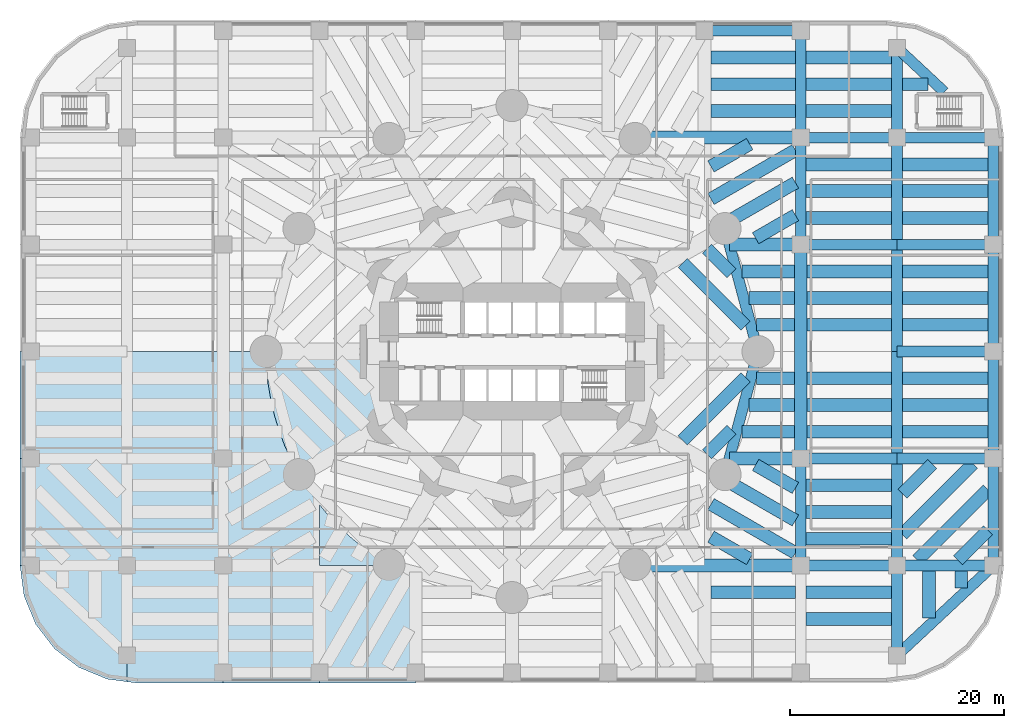
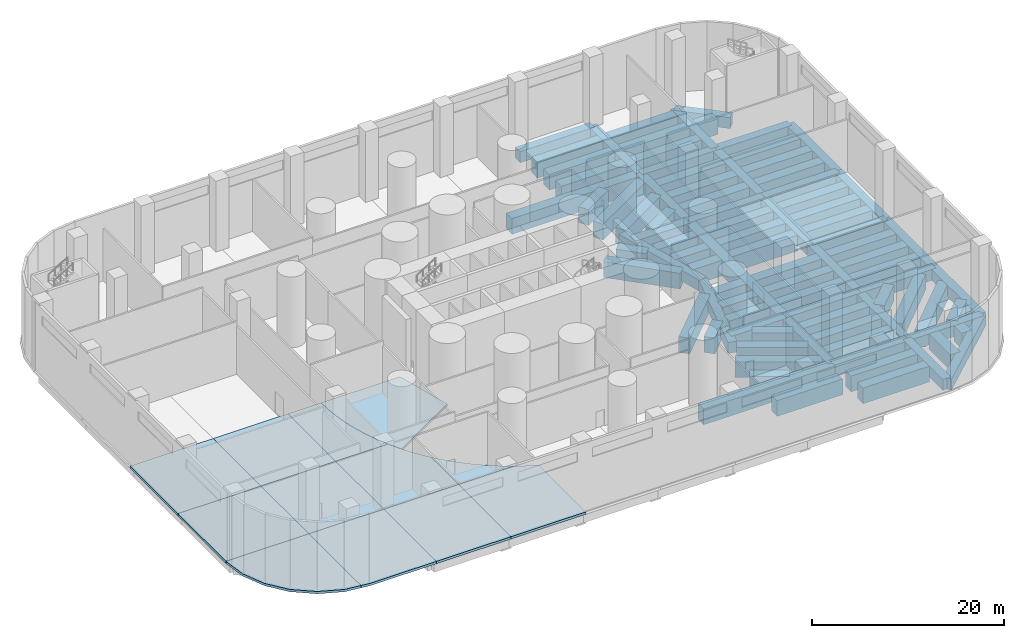
# One storey, part 4 of 13: 87 beams, 12 slabs.
"""IFC4 building model written with IfcOpenShell, lengths in metres."""

from ifc_helpers import new_model, si_unit, direction, frame, origin, origin_2d, place, context, subcontext, project, spatial, polyline, rectangle, outline, extrude, material, layer, layer_set, material_profile, profile_set, type_object, element, save


model = new_model("IFC4")

# Units and contexts
model_context = context("Model", 3, precision=1e-05, world=origin(), true_north=direction((0.0, 1.0)))
body_context = subcontext(model_context, "Body", "Model", "MODEL_VIEW")
ifc_project = project(units=[si_unit("LENGTHUNIT", "METRE"), si_unit("AREAUNIT", "SQUARE_METRE"), si_unit("VOLUMEUNIT", "CUBIC_METRE"), si_unit("PLANEANGLEUNIT", "RADIAN"), si_unit("MASSUNIT", "GRAM", prefix="KILO")], contexts=[model_context])

# Site, building, storey
site_placement = place(None, origin())
site = spatial("IfcSite", under=ifc_project, at=site_placement, CompositionType="ELEMENT")
building_placement = place(site_placement, origin())
building = spatial("IfcBuilding", under=site, at=building_placement, Name="Qaws Media Tower", CompositionType="ELEMENT")
storey_placement = place(building_placement, frame((0.0, 0.0, 6.0)))
storey = spatial("IfcBuildingStorey", under=building, at=storey_placement, Name="L01", CompositionType="ELEMENT", Elevation=6.0)

# Beams
ifc_material_1 = material(Name="Concrete C60/75", Category="concrete")
ifc_material_profile_1 = material_profile(ifc_material_1, rectangle(XDim=1.0, YDim=1.39990234375, at=origin_2d()), Name="RC 1000x1400")
ifc_profile_set_1 = profile_set([ifc_material_profile_1], Name="Concrete C60/75")
beam_type_1 = type_object("IfcBeamType", Name="Podium edge beam RC 1000x1400", PredefinedType="BEAM", material=ifc_profile_set_1)
for number, where, z_axis, x_axis, name in (
    (1, (83.0, 50.0, -1.0), (-0.258809885148, 0.965928280645, 0.0), (-0.965928280645, -0.258809885148, 0.0), "PB3 beam M01-M02"),
    (2, (79.918701171875, 38.5, -1.0), (0.258809885148, 0.965928280645, 0.0), (-0.965928280645, 0.258809885148, 0.0), "PB3 beam M12-M01"),
):
    element("IfcBeam", number, at=place(storey_placement, frame(where, z_axis=z_axis, x_axis=x_axis)), inside=storey, type_object=beam_type_1, Name=name, PredefinedType="BEAM", context=body_context, shape_type="SweptSolid", body=[
        extrude(rectangle(XDim=1.0, YDim=1.39990234375, at=origin_2d()), origin(), (0.0, 0.0, 1.0), 11.90576171875),
    ])
ifc_material_2 = material(Name="Concrete C60/75", Category="concrete")
ifc_material_profile_2 = material_profile(ifc_material_2, rectangle(XDim=1.0, YDim=1.39990234375, at=origin_2d()), Name="RC 1000x1400")
ifc_profile_set_2 = profile_set([ifc_material_profile_2], Name="Concrete C60/75")
beam_type_2 = type_object("IfcBeamType", Name="Podium girder RC 1000x1400", PredefinedType="BEAM", material=ifc_profile_set_2)
for number, where, z_axis, x_axis, name in (
    (3, (87.0, 30.0, -1.0), (1.0, 0.0, 0.0), (0.0, 1.0, 0.0), "PB5 beam 9-10/B"),
    (4, (96.0, 30.0, -1.0), (1.0, 0.0, 0.0), (0.0, 1.0, 0.0), "PB5 beam 10-11/B"),
    (5, (87.0, 40.0, -1.0), (1.0, 0.0, 0.0), (0.0, 1.0, 0.0), "PB5 beam 9-10/C"),
    (6, (96.0, 40.0, -1.0), (1.0, 0.0, 0.0), (0.0, 1.0, 0.0), "PB5 beam 10-11/C"),
    (7, (96.0, 50.0, -1.0), (1.0, 0.0, 0.0), (0.0, 1.0, 0.0), "PB5 beam 10-11/D"),
    (8, (87.0, 60.0, -1.0), (1.0, 0.0, 0.0), (0.0, 1.0, 0.0), "PB5 beam 9-10/E"),
    (9, (96.0, 60.0, -1.0), (1.0, 0.0, 0.0), (0.0, 1.0, 0.0), "PB5 beam 10-11/E"),
    (10, (87.0, 70.0, -1.0), (1.0, 0.0, 0.0), (0.0, 1.0, 0.0), "PB5 beam 9-10/F"),
    (11, (96.0, 70.0, -1.0), (1.0, 0.0, 0.0), (0.0, 1.0, 0.0), "PB5 beam 10-11/F"),
    (12, (78.0, 80.0, -1.0), (1.0, 0.0, 0.0), (0.0, 1.0, 0.0), "PB5 beam 8-9/G"),
):
    element("IfcBeam", number, at=place(storey_placement, frame(where, z_axis=z_axis, x_axis=x_axis)), inside=storey, type_object=beam_type_2, Name=name, PredefinedType="BEAM", context=body_context, shape_type="SweptSolid", body=[
        extrude(rectangle(XDim=1.0, YDim=1.39990234375, at=origin_2d()), origin(), (0.0, 0.0, 1.0), 9.0),
    ])
for number, where, z_axis, x_axis, name in (
    (13, (87.0, 30.0, -1.0), (0.0, 1.0, 0.0), (-1.0, 0.0, 0.0), "PB5 beam 9/B-C"),
    (14, (87.0, 60.0, -1.0), (0.0, 1.0, 0.0), (-1.0, 0.0, 0.0), "PB5 beam 9/E-F"),
    (15, (87.0, 70.0, -1.0), (0.0, 1.0, 0.0), (-1.0, 0.0, 0.0), "PB5 beam 9/F-G"),
):
    element("IfcBeam", number, at=place(storey_placement, frame(where, z_axis=z_axis, x_axis=x_axis)), inside=storey, type_object=beam_type_2, Name=name, PredefinedType="BEAM", context=body_context, shape_type="SweptSolid", body=[
        extrude(rectangle(XDim=1.0, YDim=1.39990234375, at=origin_2d()), origin(), (0.0, 0.0, 1.0), 10.0),
    ])
beam_1_placement = place(storey_placement, frame((96.0, 21.60009765625, -1.0), z_axis=(0.0, 1.0, 0.0), x_axis=(-1.0, 0.0, 0.0)))
element("IfcBeam", 16, at=beam_1_placement, inside=storey, type_object=beam_type_2, Name="PB5 beam 10/A-B", PredefinedType="BEAM", context=body_context, shape_type="SweptSolid", body=[
    extrude(rectangle(XDim=1.0, YDim=1.39990234375, at=origin_2d()), origin(), (0.0, 0.0, 1.0), 8.39990234375),
])
for number, where, z_axis, x_axis, name in (
    (17, (96.0, 30.0, -1.0), (0.0, 1.0, 0.0), (-1.0, 0.0, 0.0), "PB5 beam 10/B-C"),
    (18, (96.0, 40.0, -1.0), (0.0, 1.0, 0.0), (-1.0, 0.0, 0.0), "PB5 beam 10/C-D"),
    (19, (96.0, 50.0, -1.0), (0.0, 1.0, 0.0), (-1.0, 0.0, 0.0), "PB5 beam 10/D-E"),
    (20, (96.0, 60.0, -1.0), (0.0, 1.0, 0.0), (-1.0, 0.0, 0.0), "PB5 beam 10/E-F"),
):
    element("IfcBeam", number, at=place(storey_placement, frame(where, z_axis=z_axis, x_axis=x_axis)), inside=storey, type_object=beam_type_2, Name=name, PredefinedType="BEAM", context=body_context, shape_type="SweptSolid", body=[
        extrude(rectangle(XDim=1.0, YDim=1.39990234375, at=origin_2d()), origin(), (0.0, 0.0, 1.0), 10.0),
    ])
beam_2_placement = place(storey_placement, frame((96.0, 70.0, -1.0), z_axis=(0.0, 1.0, 0.0), x_axis=(-1.0, 0.0, 0.0)))
element("IfcBeam", 21, at=beam_2_placement, inside=storey, type_object=beam_type_2, Name="PB5 beam 10/F-G", PredefinedType="BEAM", context=body_context, shape_type="SweptSolid", body=[
    extrude(rectangle(XDim=1.0, YDim=1.39990234375, at=origin_2d()), origin(), (0.0, 0.0, 1.0), 8.39990234375),
])
for number, where, z_axis, x_axis, name in (
    (22, (105.0, 30.0, -1.0), (0.0, 1.0, 0.0), (-1.0, 0.0, 0.0), "PB5 beam 11/B-C"),
    (23, (105.0, 40.0, -1.0), (0.0, 1.0, 0.0), (-1.0, 0.0, 0.0), "PB5 beam 11/C-D"),
    (24, (105.0, 50.0, -1.0), (0.0, 1.0, 0.0), (-1.0, 0.0, 0.0), "PB5 beam 11/D-E"),
    (25, (105.0, 60.0, -1.0), (0.0, 1.0, 0.0), (-1.0, 0.0, 0.0), "PB5 beam 11/E-F"),
):
    element("IfcBeam", number, at=place(storey_placement, frame(where, z_axis=z_axis, x_axis=x_axis)), inside=storey, type_object=beam_type_2, Name=name, PredefinedType="BEAM", context=body_context, shape_type="SweptSolid", body=[
        extrude(rectangle(XDim=1.0, YDim=1.39990234375, at=origin_2d()), origin(), (0.0, 0.0, 1.0), 10.0),
    ])
beam_3_placement = place(storey_placement, frame((105.0, 30.0, -1.0), z_axis=(-0.73105922506, -0.682314010889, 0.0), x_axis=(0.682314010889, -0.73105922506, 0.0)))
element("IfcBeam", 26, at=beam_3_placement, inside=storey, type_object=beam_type_2, Name="PB5 beam 11/B-10/A", PredefinedType="BEAM", context=body_context, shape_type="SweptSolid", body=[
    extrude(rectangle(XDim=1.0, YDim=1.39990234375, at=origin_2d()), origin(), (0.0, 0.0, 1.0), 12.310791015625),
])
beam_4_placement = place(storey_placement, frame((100.4267578125, 74.268310546875, -1.0), z_axis=(-0.731059290527, 0.682313940745, 0.0), x_axis=(-0.682313940745, -0.731059290527, 0.0)))
element("IfcBeam", 27, at=beam_4_placement, inside=storey, type_object=beam_type_2, Name="PB5 beam S4-10/G", PredefinedType="BEAM", context=body_context, shape_type="SweptSolid", body=[
    extrude(rectangle(XDim=1.0, YDim=1.39990234375, at=origin_2d()), origin(), (0.0, 0.0, 1.0), 6.05517578125),
])
ifc_material_3 = material(Name="Concrete C60/75", Category="concrete")
ifc_material_profile_3 = material_profile(ifc_material_3, rectangle(XDim=1.199951171875, YDim=2.0, at=origin_2d()), Name="RC 1200x2000")
ifc_profile_set_3 = profile_set([ifc_material_profile_3], Name="Concrete C60/75")
beam_type_3 = type_object("IfcBeamType", Name="Podium long trimmer beam RC 1200x2000", PredefinedType="BEAM", material=ifc_profile_set_3)
for number, where, z_axis, x_axis, name in (
    (28, (87.0, 30.0, -1.300048828125), (-1.0, 0.0, 0.0), (0.0, -1.0, 0.0), "PB11 beam 9/B to the tower ring"),
    (29, (87.0, 70.0, -1.300048828125), (-1.0, 0.0, 0.0), (0.0, -1.0, 0.0), "PB11 beam 9/F to the tower ring"),
):
    element("IfcBeam", number, at=place(storey_placement, frame(where, z_axis=z_axis, x_axis=x_axis)), inside=storey, type_object=beam_type_3, Name=name, PredefinedType="BEAM", context=body_context, shape_type="SweptSolid", body=[
        extrude(rectangle(XDim=1.199951171875, YDim=2.0, at=origin_2d()), origin(), (0.0, 0.0, 1.0), 15.803955078125),
    ])
beam_5_placement = place(storey_placement, frame((87.0, 40.0, -1.300048828125), z_axis=(0.0, 1.0, 0.0), x_axis=(-1.0, 0.0, 0.0)))
element("IfcBeam", 30, at=beam_5_placement, inside=storey, type_object=beam_type_3, Name="PB11 beam 9/C-9/E", PredefinedType="BEAM", context=body_context, shape_type="SweptSolid", body=[
    extrude(rectangle(XDim=1.199951171875, YDim=2.0, at=origin_2d()), origin(), (0.0, 0.0, 1.0), 20.0),
])
ifc_material_4 = material(Name="Concrete C60/75", Category="concrete")
ifc_material_profile_4 = material_profile(ifc_material_4, rectangle(XDim=1.199951171875, YDim=2.0, at=origin_2d()), Name="RC 1200x2000")
ifc_profile_set_4 = profile_set([ifc_material_profile_4], Name="Concrete C60/75")
beam_type_4 = type_object("IfcBeamType", Name="Podium secondary beam RC 1200x2000", PredefinedType="BEAM", material=ifc_profile_set_4)
beam_6_placement = place(storey_placement, frame((78.60009765625, 27.5, -1.300048828125), z_axis=(1.0, 0.0, 0.0), x_axis=(0.0, 1.0, 0.0)))
element("IfcBeam", 31, at=beam_6_placement, inside=storey, type_object=beam_type_4, Name="PB7 beam bay 8A line 3", PredefinedType="BEAM", context=body_context, shape_type="SweptSolid", body=[
    extrude(rectangle(XDim=1.199951171875, YDim=2.0, at=origin_2d()), origin(), (0.0, 0.0, 1.0), 7.89990234375),
])
beam_7_placement = place(storey_placement, frame((86.5, 37.24951171875, -1.300048828125), z_axis=(-0.866040963478, 0.499973048851, 0.0), x_axis=(-0.499973048851, -0.866040963478, 0.0)))
element("IfcBeam", 32, at=beam_7_placement, inside=storey, type_object=beam_type_4, Name="PB7 beam bay 8B line 1", PredefinedType="BEAM", context=body_context, shape_type="SweptSolid", body=[
    extrude(rectangle(XDim=1.199951171875, YDim=2.0, at=origin_2d()), origin(), (0.0, 0.0, 1.0), 4.301025390625),
])
beam_8_placement = place(storey_placement, frame((86.5, 34.210205078125, -1.300048828125), z_axis=(-0.866033686948, 0.499985652865, 0.0), x_axis=(-0.499985652865, -0.866033686948, 0.0)))
element("IfcBeam", 33, at=beam_8_placement, inside=storey, type_object=beam_type_4, Name="PB7 beam bay 8B line 2", PredefinedType="BEAM", context=body_context, shape_type="SweptSolid", body=[
    extrude(rectangle(XDim=1.199951171875, YDim=2.0, at=origin_2d()), origin(), (0.0, 0.0, 1.0), 7.440673828125),
])
beam_9_placement = place(storey_placement, frame((86.5, 31.1708984375, -1.300048828125), z_axis=(-0.866024244995, 0.500002007077, 0.0), x_axis=(-0.500002007077, -0.866024244995, 0.0)))
element("IfcBeam", 34, at=beam_9_placement, inside=storey, type_object=beam_type_4, Name="PB7 beam bay 8B line 3", PredefinedType="BEAM", context=body_context, shape_type="SweptSolid", body=[
    extrude(rectangle(XDim=1.199951171875, YDim=2.0, at=origin_2d()), origin(), (0.0, 0.0, 1.0), 9.1220703125),
])
beam_10_placement = place(storey_placement, frame((82.224853515625, 30.60009765625, -1.300048828125), z_axis=(-0.866023369196, 0.500003523994, 0.0), x_axis=(-0.500003523994, -0.866023369196, 0.0)))
element("IfcBeam", 35, at=beam_10_placement, inside=storey, type_object=beam_type_4, Name="PB7 beam bay 8B line 4", PredefinedType="BEAM", context=body_context, shape_type="SweptSolid", body=[
    extrude(rectangle(XDim=1.199951171875, YDim=2.0, at=origin_2d()), origin(), (0.0, 0.0, 1.0), 4.185546875),
])
beam_11_placement = place(storey_placement, frame((81.508056640625, 42.5, -1.300048828125), z_axis=(1.0, 0.0, 0.0), x_axis=(0.0, 1.0, 0.0)))
element("IfcBeam", 36, at=beam_11_placement, inside=storey, type_object=beam_type_4, Name="PB7 beam bay 8C line 1", PredefinedType="BEAM", context=body_context, shape_type="SweptSolid", body=[
    extrude(rectangle(XDim=1.199951171875, YDim=2.0, at=origin_2d()), origin(), (0.0, 0.0, 1.0), 4.891845703125),
])
beam_12_placement = place(storey_placement, frame((82.177978515625, 45.0, -1.300048828125), z_axis=(1.0, 0.0, 0.0), x_axis=(0.0, 1.0, 0.0)))
element("IfcBeam", 37, at=beam_12_placement, inside=storey, type_object=beam_type_4, Name="PB7 beam bay 8C line 2", PredefinedType="BEAM", context=body_context, shape_type="SweptSolid", body=[
    extrude(rectangle(XDim=1.199951171875, YDim=2.0, at=origin_2d()), origin(), (0.0, 0.0, 1.0), 4.221923828125),
])
for number, where, z_axis, x_axis, name in (
    (38, (82.84765625, 47.5, -1.300048828125), (1.0, 0.0, 0.0), (0.0, 1.0, 0.0), "PB7 beam bay 8C line 3"),
    (39, (82.84765625, 52.5, -1.300048828125), (1.0, 0.0, 0.0), (0.0, 1.0, 0.0), "PB7 beam bay 8D line 1"),
):
    element("IfcBeam", number, at=place(storey_placement, frame(where, z_axis=z_axis, x_axis=x_axis)), inside=storey, type_object=beam_type_4, Name=name, PredefinedType="BEAM", context=body_context, shape_type="SweptSolid", body=[
        extrude(rectangle(XDim=1.199951171875, YDim=2.0, at=origin_2d()), origin(), (0.0, 0.0, 1.0), 3.55224609375),
    ])
beam_13_placement = place(storey_placement, frame((82.177978515625, 55.0, -1.300048828125), z_axis=(1.0, 0.0, 0.0), x_axis=(0.0, 1.0, 0.0)))
element("IfcBeam", 40, at=beam_13_placement, inside=storey, type_object=beam_type_4, Name="PB7 beam bay 8D line 2", PredefinedType="BEAM", context=body_context, shape_type="SweptSolid", body=[
    extrude(rectangle(XDim=1.199951171875, YDim=2.0, at=origin_2d()), origin(), (0.0, 0.0, 1.0), 4.221923828125),
])
beam_14_placement = place(storey_placement, frame((81.508056640625, 57.5, -1.300048828125), z_axis=(1.0, 0.0, 0.0), x_axis=(0.0, 1.0, 0.0)))
element("IfcBeam", 41, at=beam_14_placement, inside=storey, type_object=beam_type_4, Name="PB7 beam bay 8D line 3", PredefinedType="BEAM", context=body_context, shape_type="SweptSolid", body=[
    extrude(rectangle(XDim=1.199951171875, YDim=2.0, at=origin_2d()), origin(), (0.0, 0.0, 1.0), 4.891845703125),
])
beam_15_placement = place(storey_placement, frame((82.775146484375, 60.60009765625, -1.300048828125), z_axis=(0.866040963478, 0.499973048851, 0.0), x_axis=(-0.499973048851, 0.866040963478, 0.0)))
element("IfcBeam", 42, at=beam_15_placement, inside=storey, type_object=beam_type_4, Name="PB7 beam bay 8E line 1", PredefinedType="BEAM", context=body_context, shape_type="SweptSolid", body=[
    extrude(rectangle(XDim=1.199951171875, YDim=2.0, at=origin_2d()), origin(), (0.0, 0.0, 1.0), 4.301025390625),
])
beam_16_placement = place(storey_placement, frame((80.05615234375, 62.069580078125, -1.300048828125), z_axis=(0.866033686948, 0.499985652865, 0.0), x_axis=(-0.499985652865, 0.866033686948, 0.0)))
element("IfcBeam", 43, at=beam_16_placement, inside=storey, type_object=beam_type_4, Name="PB7 beam bay 8E line 2", PredefinedType="BEAM", context=body_context, shape_type="SweptSolid", body=[
    extrude(rectangle(XDim=1.199951171875, YDim=2.0, at=origin_2d()), origin(), (0.0, 0.0, 1.0), 7.440673828125),
])
beam_17_placement = place(storey_placement, frame((78.60009765625, 64.26806640625, -1.300048828125), z_axis=(0.866024244995, 0.500002007077, 0.0), x_axis=(-0.500002007077, 0.866024244995, 0.0)))
element("IfcBeam", 44, at=beam_17_placement, inside=storey, type_object=beam_type_4, Name="PB7 beam bay 8E line 3", PredefinedType="BEAM", context=body_context, shape_type="SweptSolid", body=[
    extrude(rectangle(XDim=1.199951171875, YDim=2.0, at=origin_2d()), origin(), (0.0, 0.0, 1.0), 9.1220703125),
])
beam_18_placement = place(storey_placement, frame((78.60009765625, 67.30712890625, -1.300048828125), z_axis=(0.866023369196, 0.500003523994, 0.0), x_axis=(-0.500003523994, 0.866023369196, 0.0)))
element("IfcBeam", 45, at=beam_18_placement, inside=storey, type_object=beam_type_4, Name="PB7 beam bay 8E line 4", PredefinedType="BEAM", context=body_context, shape_type="SweptSolid", body=[
    extrude(rectangle(XDim=1.199951171875, YDim=2.0, at=origin_2d()), origin(), (0.0, 0.0, 1.0), 4.185546875),
])
for number, where, z_axis, x_axis, name in (
    (46, (78.60009765625, 72.5, -1.300048828125), (1.0, 0.0, 0.0), (0.0, 1.0, 0.0), "PB7 beam bay 8F line 1"),
    (47, (78.60009765625, 75.0, -1.300048828125), (1.0, 0.0, 0.0), (0.0, 1.0, 0.0), "PB7 beam bay 8F line 2"),
    (48, (78.60009765625, 77.5, -1.300048828125), (1.0, 0.0, 0.0), (0.0, 1.0, 0.0), "PB7 beam bay 8F line 3"),
):
    element("IfcBeam", number, at=place(storey_placement, frame(where, z_axis=z_axis, x_axis=x_axis)), inside=storey, type_object=beam_type_4, Name=name, PredefinedType="BEAM", context=body_context, shape_type="SweptSolid", body=[
        extrude(rectangle(XDim=1.199951171875, YDim=2.0, at=origin_2d()), origin(), (0.0, 0.0, 1.0), 7.89990234375),
    ])
for number, where, z_axis, x_axis, name in (
    (49, (87.5, 25.0, -1.300048828125), (1.0, 0.0, 0.0), (0.0, 1.0, 0.0), "PB7 beam bay 9A line 2"),
    (50, (87.5, 27.5, -1.300048828125), (1.0, 0.0, 0.0), (0.0, 1.0, 0.0), "PB7 beam bay 9A line 3"),
    (51, (87.5, 32.5, -1.300048828125), (1.0, 0.0, 0.0), (0.0, 1.0, 0.0), "PB7 beam bay 9B line 1"),
    (52, (87.5, 35.0, -1.300048828125), (1.0, 0.0, 0.0), (0.0, 1.0, 0.0), "PB7 beam bay 9B line 2"),
    (53, (87.5, 37.5, -1.300048828125), (1.0, 0.0, 0.0), (0.0, 1.0, 0.0), "PB7 beam bay 9B line 3"),
):
    element("IfcBeam", number, at=place(storey_placement, frame(where, z_axis=z_axis, x_axis=x_axis)), inside=storey, type_object=beam_type_4, Name=name, PredefinedType="BEAM", context=body_context, shape_type="SweptSolid", body=[
        extrude(rectangle(XDim=1.199951171875, YDim=2.0, at=origin_2d()), origin(), (0.0, 0.0, 1.0), 8.0),
    ])
for number, where, z_axis, x_axis, name in (
    (54, (87.60009765625, 42.5, -1.300048828125), (1.0, 0.0, 0.0), (0.0, 1.0, 0.0), "PB7 beam bay 9C line 1"),
    (55, (87.60009765625, 45.0, -1.300048828125), (1.0, 0.0, 0.0), (0.0, 1.0, 0.0), "PB7 beam bay 9C line 2"),
    (56, (87.60009765625, 47.5, -1.300048828125), (1.0, 0.0, 0.0), (0.0, 1.0, 0.0), "PB7 beam bay 9C line 3"),
    (57, (87.60009765625, 52.5, -1.300048828125), (1.0, 0.0, 0.0), (0.0, 1.0, 0.0), "PB7 beam bay 9D line 1"),
    (58, (87.60009765625, 55.0, -1.300048828125), (1.0, 0.0, 0.0), (0.0, 1.0, 0.0), "PB7 beam bay 9D line 2"),
    (59, (87.60009765625, 57.5, -1.300048828125), (1.0, 0.0, 0.0), (0.0, 1.0, 0.0), "PB7 beam bay 9D line 3"),
):
    element("IfcBeam", number, at=place(storey_placement, frame(where, z_axis=z_axis, x_axis=x_axis)), inside=storey, type_object=beam_type_4, Name=name, PredefinedType="BEAM", context=body_context, shape_type="SweptSolid", body=[
        extrude(rectangle(XDim=1.199951171875, YDim=2.0, at=origin_2d()), origin(), (0.0, 0.0, 1.0), 7.89990234375),
    ])
for number, where, z_axis, x_axis, name in (
    (60, (87.5, 62.5, -1.300048828125), (1.0, 0.0, 0.0), (0.0, 1.0, 0.0), "PB7 beam bay 9E line 1"),
    (61, (87.5, 65.0, -1.300048828125), (1.0, 0.0, 0.0), (0.0, 1.0, 0.0), "PB7 beam bay 9E line 2"),
    (62, (87.5, 67.5, -1.300048828125), (1.0, 0.0, 0.0), (0.0, 1.0, 0.0), "PB7 beam bay 9E line 3"),
    (63, (87.5, 72.5, -1.300048828125), (1.0, 0.0, 0.0), (0.0, 1.0, 0.0), "PB7 beam bay 9F line 1"),
    (64, (87.5, 75.0, -1.300048828125), (1.0, 0.0, 0.0), (0.0, 1.0, 0.0), "PB7 beam bay 9F line 2"),
    (65, (87.5, 77.5, -1.300048828125), (1.0, 0.0, 0.0), (0.0, 1.0, 0.0), "PB7 beam bay 9F line 3"),
):
    element("IfcBeam", number, at=place(storey_placement, frame(where, z_axis=z_axis, x_axis=x_axis)), inside=storey, type_object=beam_type_4, Name=name, PredefinedType="BEAM", context=body_context, shape_type="SweptSolid", body=[
        extrude(rectangle(XDim=1.199951171875, YDim=2.0, at=origin_2d()), origin(), (0.0, 0.0, 1.0), 8.0),
    ])
beam_19_placement = place(storey_placement, frame((102.0, 27.884033203125, -1.300048828125), z_axis=(0.0, 1.0, 0.0), x_axis=(-1.0, 0.0, 0.0)))
element("IfcBeam", 66, at=beam_19_placement, inside=storey, type_object=beam_type_4, Name="PB7 beam bay 10A line 1", PredefinedType="BEAM", context=body_context, shape_type="SweptSolid", body=[
    extrude(rectangle(XDim=1.199951171875, YDim=2.0, at=origin_2d()), origin(), (0.0, 0.0, 1.0), 1.615966796875),
])
beam_20_placement = place(storey_placement, frame((99.0, 25.083984375, -1.300048828125), z_axis=(0.0, 1.0, 0.0), x_axis=(-1.0, 0.0, 0.0)))
element("IfcBeam", 67, at=beam_20_placement, inside=storey, type_object=beam_type_4, Name="PB7 beam bay 10A line 2", PredefinedType="BEAM", context=body_context, shape_type="SweptSolid", body=[
    extrude(rectangle(XDim=1.199951171875, YDim=2.0, at=origin_2d()), origin(), (0.0, 0.0, 1.0), 4.416015625),
])
beam_21_placement = place(storey_placement, frame((101.699951171875, 30.5, -1.300048828125), z_axis=(0.707106781187, 0.707106781187, 0.0), x_axis=(-0.707106781187, 0.707106781187, 0.0)))
element("IfcBeam", 68, at=beam_21_placement, inside=storey, type_object=beam_type_4, Name="PB7 beam bay 10B line 1", PredefinedType="BEAM", context=body_context, shape_type="SweptSolid", body=[
    extrude(rectangle(XDim=1.199951171875, YDim=2.0, at=origin_2d()), origin(), (0.0, 0.0, 1.0), 3.9599609375),
])
for number, where, z_axis, x_axis, name in (
    (69, (97.89990234375, 30.5, -1.300048828125), (0.707106781187, 0.707106781187, 0.0), (-0.707106781187, 0.707106781187, 0.0), "PB7 beam bay 10B line 2"),
    (70, (96.5, 32.89990234375, -1.300048828125), (0.707106781187, 0.707106781187, 0.0), (-0.707106781187, 0.707106781187, 0.0), "PB7 beam bay 10B line 3"),
):
    element("IfcBeam", number, at=place(storey_placement, frame(where, z_axis=z_axis, x_axis=x_axis)), inside=storey, type_object=beam_type_4, Name=name, PredefinedType="BEAM", context=body_context, shape_type="SweptSolid", body=[
        extrude(rectangle(XDim=1.199951171875, YDim=2.0, at=origin_2d()), origin(), (0.0, 0.0, 1.0), 9.333984375),
    ])
beam_22_placement = place(storey_placement, frame((96.5, 36.699951171875, -1.300048828125), z_axis=(0.707106781187, 0.707106781187, 0.0), x_axis=(-0.707106781187, 0.707106781187, 0.0)))
element("IfcBeam", 71, at=beam_22_placement, inside=storey, type_object=beam_type_4, Name="PB7 beam bay 10B line 4", PredefinedType="BEAM", context=body_context, shape_type="SweptSolid", body=[
    extrude(rectangle(XDim=1.199951171875, YDim=2.0, at=origin_2d()), origin(), (0.0, 0.0, 1.0), 3.9599609375),
])
for number, where, z_axis, x_axis, name in (
    (72, (96.5, 42.5, -1.300048828125), (1.0, 0.0, 0.0), (0.0, 1.0, 0.0), "PB7 beam bay 10C line 1"),
    (73, (96.5, 45.0, -1.300048828125), (1.0, 0.0, 0.0), (0.0, 1.0, 0.0), "PB7 beam bay 10C line 2"),
    (74, (96.5, 47.5, -1.300048828125), (1.0, 0.0, 0.0), (0.0, 1.0, 0.0), "PB7 beam bay 10C line 3"),
    (75, (96.5, 52.5, -1.300048828125), (1.0, 0.0, 0.0), (0.0, 1.0, 0.0), "PB7 beam bay 10D line 1"),
    (76, (96.5, 55.0, -1.300048828125), (1.0, 0.0, 0.0), (0.0, 1.0, 0.0), "PB7 beam bay 10D line 2"),
    (77, (96.5, 57.5, -1.300048828125), (1.0, 0.0, 0.0), (0.0, 1.0, 0.0), "PB7 beam bay 10D line 3"),
    (78, (96.5, 62.5, -1.300048828125), (1.0, 0.0, 0.0), (0.0, 1.0, 0.0), "PB7 beam bay 10E line 1"),
    (79, (96.5, 65.0, -1.300048828125), (1.0, 0.0, 0.0), (0.0, 1.0, 0.0), "PB7 beam bay 10E line 2"),
    (80, (96.5, 67.5, -1.300048828125), (1.0, 0.0, 0.0), (0.0, 1.0, 0.0), "PB7 beam bay 10E line 3"),
):
    element("IfcBeam", number, at=place(storey_placement, frame(where, z_axis=z_axis, x_axis=x_axis)), inside=storey, type_object=beam_type_4, Name=name, PredefinedType="BEAM", context=body_context, shape_type="SweptSolid", body=[
        extrude(rectangle(XDim=1.199951171875, YDim=2.0, at=origin_2d()), origin(), (0.0, 0.0, 1.0), 8.0),
    ])
beam_23_placement = place(storey_placement, frame((96.5, 75.0, -1.300048828125), z_axis=(1.0, 0.0, 0.0), x_axis=(0.0, 1.0, 0.0)))
element("IfcBeam", 81, at=beam_23_placement, inside=storey, type_object=beam_type_4, Name="PB7 beam bay 10F line 1", PredefinedType="BEAM", context=body_context, shape_type="SweptSolid", body=[
    extrude(rectangle(XDim=1.199951171875, YDim=2.0, at=origin_2d()), origin(), (0.0, 0.0, 1.0), 2.41015625),
])
beam_24_placement = place(storey_placement, frame((80.523193359375, 57.311767578125, -1.300048828125), z_axis=(-0.707144458383, 0.707069101983, 0.0), x_axis=(-0.707069101983, -0.707144458383, 0.0)))
element("IfcBeam", 82, at=beam_24_placement, inside=storey, type_object=beam_type_4, Name="PB7 beam bay T01 line 1", PredefinedType="BEAM", context=body_context, shape_type="SweptSolid", body=[
    extrude(rectangle(XDim=1.199951171875, YDim=2.0, at=origin_2d()), origin(), (0.0, 0.0, 1.0), 3.23974609375),
])
beam_25_placement = place(storey_placement, frame((81.8349609375, 52.416259765625, -1.300048828125), z_axis=(-0.707106781187, 0.707106781187, 0.0), x_axis=(-0.707106781187, -0.707106781187, 0.0)))
element("IfcBeam", 83, at=beam_25_placement, inside=storey, type_object=beam_type_4, Name="PB7 beam bay T01 line 2", PredefinedType="BEAM", context=body_context, shape_type="SweptSolid", body=[
    extrude(rectangle(XDim=1.199951171875, YDim=2.0, at=origin_2d()), origin(), (0.0, 0.0, 1.0), 8.30810546875),
])
beam_26_placement = place(storey_placement, frame((78.232177734375, 40.3974609375, -1.300048828125), z_axis=(0.707144458383, 0.707069101983, 0.0), x_axis=(-0.707069101983, 0.707144458383, 0.0)))
element("IfcBeam", 84, at=beam_26_placement, inside=storey, type_object=beam_type_4, Name="PB7 beam bay T12 line 1", PredefinedType="BEAM", context=body_context, shape_type="SweptSolid", body=[
    extrude(rectangle(XDim=1.199951171875, YDim=2.0, at=origin_2d()), origin(), (0.0, 0.0, 1.0), 3.23974609375),
])
beam_27_placement = place(storey_placement, frame((75.960205078125, 41.708984375, -1.300048828125), z_axis=(0.707106781187, 0.707106781187, 0.0), x_axis=(-0.707106781187, 0.707106781187, 0.0)))
element("IfcBeam", 85, at=beam_27_placement, inside=storey, type_object=beam_type_4, Name="PB7 beam bay T12 line 2", PredefinedType="BEAM", context=body_context, shape_type="SweptSolid", body=[
    extrude(rectangle(XDim=1.199951171875, YDim=2.0, at=origin_2d()), origin(), (0.0, 0.0, 1.0), 8.30810546875),
])
ifc_material_5 = material(Name="Concrete C60/75", Category="concrete")
ifc_material_profile_5 = material_profile(ifc_material_5, rectangle(XDim=1.199951171875, YDim=2.0, at=origin_2d()), Name="RC 1200x2000")
ifc_profile_set_5 = profile_set([ifc_material_profile_5], Name="Concrete C60/75")
beam_type_5 = type_object("IfcBeamType", Name="Podium trimmer beam RC 1200x2000", PredefinedType="BEAM", material=ifc_profile_set_5)
for number, where, z_axis, x_axis, name in (
    (86, (87.0, 40.0, -1.300048828125), (-1.0, 0.0, 0.0), (0.0, -1.0, 0.0), "PB4 beam 9/C to the tower ring"),
    (87, (87.0, 60.0, -1.300048828125), (-1.0, 0.0, 0.0), (0.0, -1.0, 0.0), "PB4 beam 9/E to the tower ring"),
):
    element("IfcBeam", number, at=place(storey_placement, frame(where, z_axis=z_axis, x_axis=x_axis)), inside=storey, type_object=beam_type_5, Name=name, PredefinedType="BEAM", context=body_context, shape_type="SweptSolid", body=[
        extrude(rectangle(XDim=1.199951171875, YDim=2.0, at=origin_2d()), origin(), (0.0, 0.0, 1.0), 6.679443359375),
    ])

# Slabs
ifc_material_6 = material(Name="Concrete C40/50", Category="concrete")
ifc_layer = layer(ifc_material_6, 0.300048828125)
ifc_layer_set = layer_set([ifc_layer], Name="Podium slab 300")
slab_type = type_object("IfcSlabType", Name="Podium slab 300", PredefinedType="FLOOR", material=ifc_layer_set)
slab_1_placement = place(storey_placement, frame((0.0, 0.0, -0.300048828125)))
element("IfcSlab", 88, at=slab_1_placement, inside=storey, type_object=slab_type, Name="S3 slab L01 bay 1-2/A-B", PredefinedType="FLOOR", context=body_context, shape_type="SweptSolid", body=[
    extrude(outline(polyline([(17.2216796875, 22.2216796875), (15.4736328125, 24.5), (14.374755859375, 27.153076171875), (14.0, 30.0), (24.0, 30.0), (24.0, 19.131591796875), (22.153076171875, 19.374755859375), (19.5, 20.4736328125), (17.2216796875, 22.2216796875)])), origin(), (0.0, 0.0, 1.0), 0.300048828125),
])
slab_2_placement = place(storey_placement, frame((0.0, 0.0, -0.300048828125)))
element("IfcSlab", 89, at=slab_2_placement, inside=storey, type_object=slab_type, Name="S3 slab L01 bay 1-2/B-C", PredefinedType="FLOOR", context=body_context, shape_type="SweptSolid", body=[
    extrude(outline(polyline([(14.0, 40.0), (24.0, 40.0), (24.0, 30.0), (14.0, 30.0), (14.0, 40.0)])), origin(), (0.0, 0.0, 1.0), 0.300048828125),
])
slab_3_placement = place(storey_placement, frame((0.0, 0.0, -0.300048828125)))
element("IfcSlab", 90, at=slab_3_placement, inside=storey, type_object=slab_type, Name="S3 slab L01 bay 1-2/C-D", PredefinedType="FLOOR", context=body_context, shape_type="SweptSolid", body=[
    extrude(outline(polyline([(14.0, 50.0), (24.0, 50.0), (24.0, 40.0), (14.0, 40.0), (14.0, 50.0)])), origin(), (0.0, 0.0, 1.0), 0.300048828125),
])
slab_4_placement = place(storey_placement, frame((0.0, 0.0, -0.300048828125)))
element("IfcSlab", 91, at=slab_4_placement, inside=storey, type_object=slab_type, Name="S3 slab L01 bay 2-3/A-B", PredefinedType="FLOOR", context=body_context, shape_type="SweptSolid", body=[
    extrude(outline(polyline([(25.0, 19.0), (24.0, 19.131591796875), (24.0, 30.0), (33.0, 30.0), (33.0, 19.0), (25.0, 19.0)])), origin(), (0.0, 0.0, 1.0), 0.300048828125),
])
slab_5_placement = place(storey_placement, frame((0.0, 0.0, -0.300048828125)))
element("IfcSlab", 92, at=slab_5_placement, inside=storey, type_object=slab_type, Name="S3 slab L01 bay 2-3/B-C", PredefinedType="FLOOR", context=body_context, shape_type="SweptSolid", body=[
    extrude(outline(polyline([(24.0, 30.0), (24.0, 40.0), (33.0, 40.0), (33.0, 30.0), (24.0, 30.0)])), origin(), (0.0, 0.0, 1.0), 0.300048828125),
])
slab_6_placement = place(storey_placement, frame((0.0, 0.0, -0.300048828125)))
element("IfcSlab", 93, at=slab_6_placement, inside=storey, type_object=slab_type, Name="S3 slab L01 bay 2-3/C-D", PredefinedType="FLOOR", context=body_context, shape_type="SweptSolid", body=[
    extrude(outline(polyline([(24.0, 40.0), (24.0, 50.0), (33.0, 50.0), (33.0, 40.0), (24.0, 40.0)])), origin(), (0.0, 0.0, 1.0), 0.300048828125),
])
slab_7_placement = place(storey_placement, frame((0.0, 0.0, -0.300048828125)))
element("IfcSlab", 94, at=slab_7_placement, inside=storey, type_object=slab_type, Name="S3 slab L01 bay 3-4/A-B", PredefinedType="FLOOR", context=body_context, shape_type="SweptSolid", body=[
    extrude(outline(polyline([(33.0, 19.0), (33.0, 30.0), (42.0, 30.0), (42.0, 19.0), (33.0, 19.0)])), origin(), (0.0, 0.0, 1.0), 0.300048828125),
])
slab_8_placement = place(storey_placement, frame((0.0, 0.0, -0.300048828125)))
element("IfcSlab", 95, at=slab_8_placement, inside=storey, type_object=slab_type, Name="S3 slab L01 bay 3-4/B-C", PredefinedType="FLOOR", context=body_context, shape_type="SweptSolid", body=[
    extrude(outline(polyline([(39.371826171875, 39.827392578125), (40.081298828125, 38.5), (40.876220703125, 37.221923828125), (41.7529296875, 35.99853515625), (42.0, 35.697509765625), (42.0, 30.0), (33.0, 30.0), (33.0, 40.0), (39.293701171875, 40.0), (39.371826171875, 39.827392578125)])), origin(), (0.0, 0.0, 1.0), 0.300048828125),
])
slab_9_placement = place(storey_placement, frame((0.0, 0.0, -0.300048828125)))
element("IfcSlab", 96, at=slab_9_placement, inside=storey, type_object=slab_type, Name="S3 slab L01 bay 3-4/C-D", PredefinedType="FLOOR", context=body_context, shape_type="SweptSolid", body=[
    extrude(outline(polyline([(37.04931640625, 48.49560546875), (37.19677734375, 46.997802734375), (37.44189453125, 45.512939453125), (37.78369140625, 44.047119140625), (38.220703125, 42.60693359375), (38.750732421875, 41.1982421875), (39.293701171875, 40.0), (33.0, 40.0), (33.0, 50.0), (37.0, 50.0), (37.04931640625, 48.49560546875)])), origin(), (0.0, 0.0, 1.0), 0.300048828125),
])
slab_10_placement = place(storey_placement, frame((0.0, 0.0, -0.300048828125)))
element("IfcSlab", 97, at=slab_10_placement, inside=storey, type_object=slab_type, Name="S3 slab L01 bay 4-5/A-B", PredefinedType="FLOOR", context=body_context, shape_type="SweptSolid", body=[
    extrude(outline(polyline([(42.0, 19.0), (42.0, 30.0), (48.65234375, 30.0), (49.827392578125, 29.371826171875), (51.0, 28.840576171875), (51.0, 19.0), (42.0, 19.0)])), origin(), (0.0, 0.0, 1.0), 0.300048828125),
])
slab_11_placement = place(storey_placement, frame((0.0, 0.0, -0.300048828125)))
element("IfcSlab", 98, at=slab_11_placement, inside=storey, type_object=slab_type, Name="S3 slab L01 bay 4-5/B-C", PredefinedType="FLOOR", context=body_context, shape_type="SweptSolid", body=[
    extrude(outline(polyline([(42.707763671875, 34.8349609375), (43.736572265625, 33.736572265625), (44.8349609375, 32.707763671875), (45.99853515625, 31.7529296875), (47.221923828125, 30.876220703125), (48.5, 30.081298828125), (48.65234375, 30.0), (42.0, 30.0), (42.0, 35.697509765625), (42.707763671875, 34.8349609375)])), origin(), (0.0, 0.0, 1.0), 0.300048828125),
])
slab_12_placement = place(storey_placement, frame((0.0, 0.0, -0.300048828125)))
element("IfcSlab", 99, at=slab_12_placement, inside=storey, type_object=slab_type, Name="S3 slab L01 tower sector R13-R15 outer", PredefinedType="FLOOR", context=body_context, shape_type="SweptSolid", body=[
    extrude(outline(polyline([(37.19677734375, 46.997802734375), (37.04931640625, 48.49560546875), (37.0, 50.0), (46.5, 50.0), (48.30859375, 43.25), (40.081298828125, 38.5), (39.371826171875, 39.827392578125), (38.750732421875, 41.1982421875), (38.220703125, 42.60693359375), (37.78369140625, 44.047119140625), (37.44189453125, 45.512939453125), (37.19677734375, 46.997802734375)])), origin(), (0.0, 0.0, 1.0), 0.300048828125),
])

save(model, "model.ifc")
